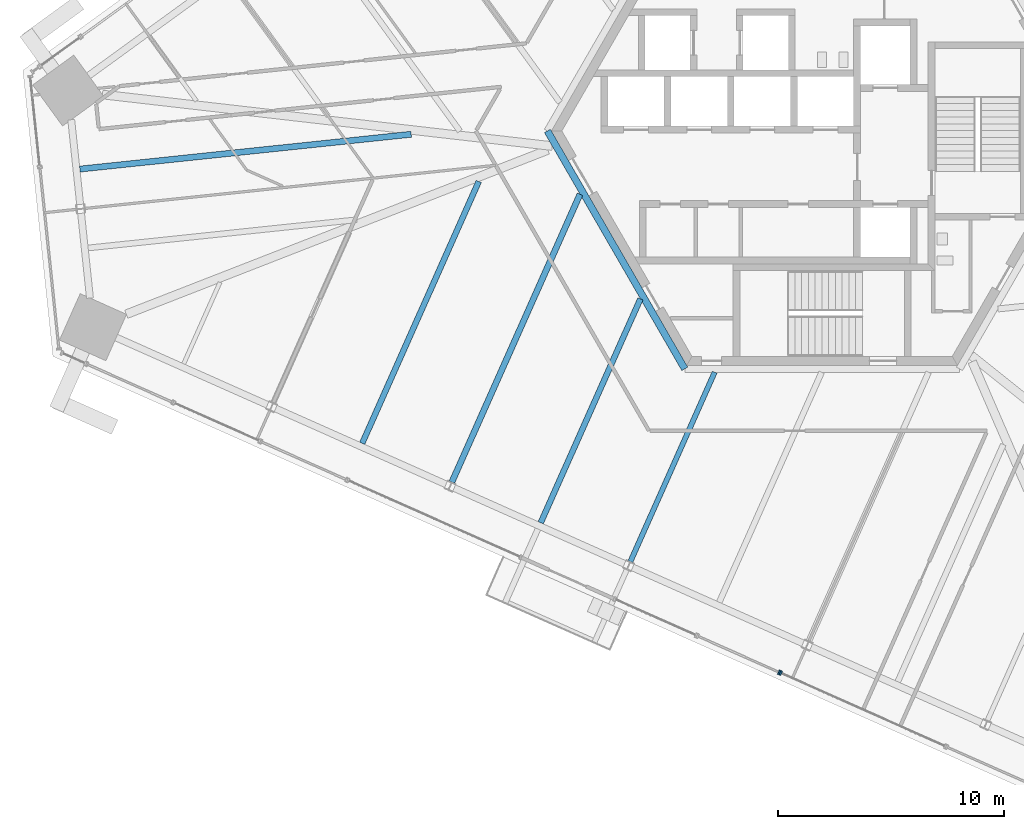
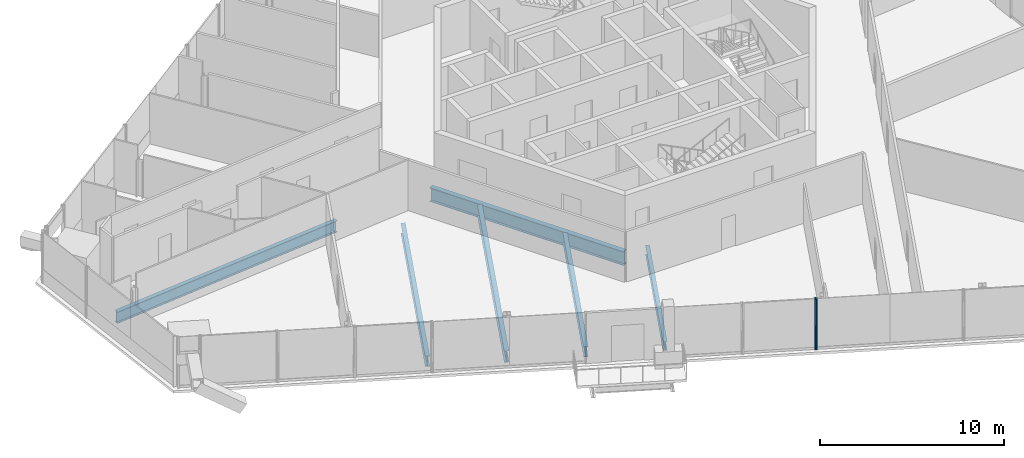
# One storey, part 4 of 25: 6 beams, 2 members, 2 elements without a shape of their own.
"""IFC4 building model written with IfcOpenShell, lengths in metres."""

from ifc_helpers import new_model, si_unit, direction, frame, origin, origin_2d, place, context, subcontext, project, spatial, rectangle, i_section, extrude, source, transform, mapped, material, material_profile, profile_set, type_object, element, aggregate, save


model = new_model("IFC4")

# Units and contexts
model_context = context("Model", 3, precision=1e-05, world=origin(), true_north=direction((0.0, 1.0)))
body_context = subcontext(model_context, "Body", "Model", "MODEL_VIEW")
ifc_project = project(units=[si_unit("LENGTHUNIT", "METRE"), si_unit("AREAUNIT", "SQUARE_METRE"), si_unit("VOLUMEUNIT", "CUBIC_METRE"), si_unit("PLANEANGLEUNIT", "RADIAN"), si_unit("MASSUNIT", "GRAM", prefix="KILO")], contexts=[model_context])

# Site, building, storey
site_placement = place(None, origin())
site = spatial("IfcSite", under=ifc_project, at=site_placement, CompositionType="ELEMENT")
building_placement = place(site_placement, origin())
building = spatial("IfcBuilding", under=site, at=building_placement, Name="Triune Harvest Tower", CompositionType="ELEMENT")
storey_placement = place(building_placement, frame((0.0, 0.0, 90.89990234375)))
storey = spatial("IfcBuildingStorey", under=building, at=storey_placement, Name="L22", CompositionType="ELEMENT", Elevation=90.89990234375)

# Beams
ifc_material_1 = material(Name="Steel ASTM A992 Gr 50", Category="steel")
ifc_material_profile_1 = material_profile(ifc_material_1, i_section(OverallWidth=0.3046875, OverallDepth=0.914306640625, WebThickness=0.0166015625, FlangeThickness=0.02587890625, at=origin_2d()), Name="W36x160")
ifc_profile_set_1 = profile_set([ifc_material_profile_1], Name="Steel ASTM A992 Gr 50")
beam_type_1 = type_object("IfcBeamType", Name="CG-1 Core ring girder W36x160", PredefinedType="BEAM", material=ifc_profile_set_1)
shared_shape_1 = source(origin(), body_context, "Body", "SweptSolid", [
    extrude(i_section(OverallWidth=0.3046875, OverallDepth=0.914306640625, WebThickness=0.0166015625, FlangeThickness=0.02587890625, at=origin_2d()), origin(), (0.0, 0.0, 1.0), 12.176025390625),
])
beam_1_placement = place(storey_placement, frame((-12.176025390625, 0.0, -0.6171875), z_axis=(0.5000099932, -0.866019634131, 0.0), x_axis=(0.866019634131, 0.5000099932, 0.0)))
element("IfcBeam", 1, at=beam_1_placement, inside=storey, type_object=beam_type_1, Name="beam/L22/CG4", PredefinedType="BEAM", context=body_context, shape_type="MappedRepresentation", body=[
    mapped(shared_shape_1, transform((0.0, 0.0, 0.0), scale=1.0)),
])
ifc_material_2 = material(Name="Steel ASTM A992 Gr 50", Category="steel")
ifc_material_profile_2 = material_profile(ifc_material_2, i_section(OverallWidth=0.253662109375, OverallDepth=0.683349609375, WebThickness=0.012451171875, FlangeThickness=0.01904296875, at=origin_2d()), Name="W27x94")
ifc_profile_set_2 = profile_set([ifc_material_profile_2], Name="Steel ASTM A992 Gr 50")
beam_type_2 = type_object("IfcBeamType", Name="JT-4 Floor joist W27x94", PredefinedType="JOIST", material=ifc_profile_set_2)
shared_shape_2 = source(origin(), body_context, "Body", "SweptSolid", [
    extrude(i_section(OverallWidth=0.253662109375, OverallDepth=0.683349609375, WebThickness=0.012451171875, FlangeThickness=0.01904296875, at=origin_2d()), origin(), (0.0, 0.0, 1.0), 10.864501953125),
])
beam_2_placement = place(storey_placement, frame((-12.473876953125, -17.3681640625, -0.50146484375), z_axis=(0.406757614722, 0.913536120176, 0.0), x_axis=(-0.913536120176, 0.406757614722, 0.0)))
element("IfcBeam", 2, at=beam_2_placement, inside=storey, type_object=beam_type_2, Name="beam/L22/JT31", PredefinedType="JOIST", context=body_context, shape_type="MappedRepresentation", body=[
    mapped(shared_shape_2, transform((0.0, 0.0, 0.0), scale=1.0)),
])
shared_shape_3 = source(origin(), body_context, "Body", "SweptSolid", [
    extrude(i_section(OverallWidth=0.253662109375, OverallDepth=0.683349609375, WebThickness=0.012451171875, FlangeThickness=0.01904296875, at=origin_2d()), origin(), (0.0, 0.0, 1.0), 12.701904296875),
])
beam_3_placement = place(storey_placement, frame((-20.38720703125, -13.844970703125, -0.50146484375), z_axis=(0.406748285801, 0.913540273879, 0.0), x_axis=(-0.913540273879, 0.406748285801, 0.0)))
element("IfcBeam", 3, at=beam_3_placement, inside=storey, type_object=beam_type_2, Name="beam/L22/JT29", PredefinedType="JOIST", context=body_context, shape_type="MappedRepresentation", body=[
    mapped(shared_shape_3, transform((0.0, 0.0, 0.0), scale=1.0)),
])
ifc_material_3 = material(Name="Steel ASTM A992 Gr 50", Category="steel")
ifc_material_profile_3 = material_profile(ifc_material_3, i_section(OverallWidth=0.2666015625, OverallDepth=0.7568359375, WebThickness=0.013916015625, FlangeThickness=0.019287109375, at=origin_2d()), Name="W30x108")
ifc_profile_set_3 = profile_set([ifc_material_profile_3], Name="Steel ASTM A992 Gr 50")
beam_type_3 = type_object("IfcBeamType", Name="JT-5 Floor joist W30x108", PredefinedType="JOIST", material=ifc_profile_set_3)
shared_shape_4 = source(origin(), body_context, "Body", "SweptSolid", [
    extrude(i_section(OverallWidth=0.2666015625, OverallDepth=0.7568359375, WebThickness=0.013916015625, FlangeThickness=0.019287109375, at=origin_2d()), origin(), (0.0, 0.0, 1.0), 14.7666015625),
])
beam_4_placement = place(storey_placement, frame((-32.90234375, -1.690673828125, -0.538330078125), z_axis=(0.994522471236, 0.10452298411, 0.0), x_axis=(-0.10452298411, 0.994522471236, 0.0)))
element("IfcBeam", 4, at=beam_4_placement, inside=storey, type_object=beam_type_3, Name="beam/L22/JT25", PredefinedType="JOIST", context=body_context, shape_type="MappedRepresentation", body=[
    mapped(shared_shape_4, transform((0.0, 0.0, 0.0), scale=1.0)),
])
shared_shape_5 = source(origin(), body_context, "Body", "SweptSolid", [
    extrude(i_section(OverallWidth=0.2666015625, OverallDepth=0.7568359375, WebThickness=0.013916015625, FlangeThickness=0.019287109375, at=origin_2d()), origin(), (0.0, 0.0, 1.0), 13.966796875),
])
beam_5_placement = place(storey_placement, frame((-16.412353515625, -15.56591796875, -0.538330078125), z_axis=(0.406743331023, 0.913542479948, 0.0), x_axis=(-0.913542479948, 0.406743331023, 0.0)))
element("IfcBeam", 5, at=beam_5_placement, inside=storey, type_object=beam_type_3, Name="beam/L22/JT30", PredefinedType="JOIST", context=body_context, shape_type="MappedRepresentation", body=[
    mapped(shared_shape_5, transform((0.0, 0.0, 0.0), scale=1.0)),
])
ifc_material_4 = material(Name="Steel ASTM A992 Gr 50", Category="steel")
ifc_material_profile_4 = material_profile(ifc_material_4, i_section(OverallWidth=0.22900390625, OverallDepth=0.612060546875, WebThickness=0.011962890625, FlangeThickness=0.01953125, at=origin_2d()), Name="W24x84")
ifc_profile_set_4 = profile_set([ifc_material_profile_4], Name="Steel ASTM A992 Gr 50")
beam_type_4 = type_object("IfcBeamType", Name="JT-3 Floor joist W24x84", PredefinedType="JOIST", material=ifc_profile_set_4)
shared_shape_6 = source(origin(), body_context, "Body", "SweptSolid", [
    extrude(i_section(OverallWidth=0.22900390625, OverallDepth=0.612060546875, WebThickness=0.011962890625, FlangeThickness=0.01953125, at=origin_2d()), origin(), (0.0, 0.0, 1.0), 9.1865234375),
])
beam_6_placement = place(storey_placement, frame((-8.4990234375, -19.08935546875, -0.466064453125), z_axis=(0.406720317643, 0.913552726019, 0.0), x_axis=(-0.913552726019, 0.406720317643, 0.0)))
element("IfcBeam", 6, at=beam_6_placement, inside=storey, type_object=beam_type_4, Name="beam/L22/JT32", PredefinedType="JOIST", context=body_context, shape_type="MappedRepresentation", body=[
    mapped(shared_shape_6, transform((0.0, 0.0, 0.0), scale=1.0)),
])

# Curtain wall, member
ifc_material_5 = material(Name="Aluminium bronze anodised", Category="aluminium")
curtain_wall_type_1 = type_object("IfcCurtainWallType", Name="CW-10 Balcony window wall with insulated spandrel infill", PredefinedType="NOTDEFINED", material=ifc_material_5)
curtain_wall_1_placement = place(storey_placement, origin())
curtain_wall_1 = element("IfcCurtainWall", 7, at=curtain_wall_1_placement, inside=storey, type_object=curtain_wall_type_1, Name="CW-10 B2-F5 L22 run 1002")
ifc_material_6 = material(Name="Aluminium bronze anodised", Category="aluminium")
ifc_material_profile_5 = material_profile(ifc_material_6, rectangle(XDim=0.199951171875, YDim=0.074951171875, at=origin_2d()), Name="MU-6 mullion 75 x 200")
ifc_profile_set_5 = profile_set([ifc_material_profile_5], Name="Aluminium bronze anodised")
member_type = type_object("IfcMemberType", Name="MU-6 mullion 75 x 200", PredefinedType="MULLION", material=ifc_profile_set_5)
shared_shape_7 = source(origin(), body_context, "Body", "SweptSolid", [
    extrude(rectangle(XDim=0.199951171875, YDim=0.074951171875, at=origin_2d()), origin(), (0.0, 0.0, 1.0), 3.35009765625),
])
member_1_placement = place(storey_placement, frame((-1.9033203125, -23.99853515625, 0.0), z_axis=(0.0, 0.0, 1.0), x_axis=(0.406734695374, 0.913546324813, 0.0)))
member_1 = element("IfcMember", 8, at=member_1_placement, type_object=member_type, Name="CW-10 mullion B2-F5 1002.2", PredefinedType="MULLION", context=body_context, shape_type="MappedRepresentation", body=[
    mapped(shared_shape_7, transform((0.0, 0.0, 0.0), scale=1.0)),
])
aggregate(curtain_wall_1, [member_1])

ifc_material_7 = material(Name="Aluminium bronze anodised", Category="aluminium")
curtain_wall_type_2 = type_object("IfcCurtainWallType", Name="CW-6 Balcony window wall", PredefinedType="NOTDEFINED", material=ifc_material_7)
curtain_wall_2_placement = place(storey_placement, origin())
curtain_wall_2 = element("IfcCurtainWall", 9, at=curtain_wall_2_placement, inside=storey, type_object=curtain_wall_type_2, Name="CW-6 B2-F5 L22 run 2002")
member_2_placement = place(storey_placement, frame((-1.834716796875, -24.029052734375, 0.0), z_axis=(0.0, 0.0, 1.0), x_axis=(0.406739305594, 0.913544272209, 0.0)))
member_2 = element("IfcMember", 10, at=member_2_placement, type_object=member_type, Name="CW-6 mullion B2-F5 2002.1", PredefinedType="MULLION", context=body_context, shape_type="MappedRepresentation", body=[
    mapped(shared_shape_7, transform((0.0, 0.0, 0.0), scale=1.0)),
])
aggregate(curtain_wall_2, [member_2])

save(model, "model.ifc")
